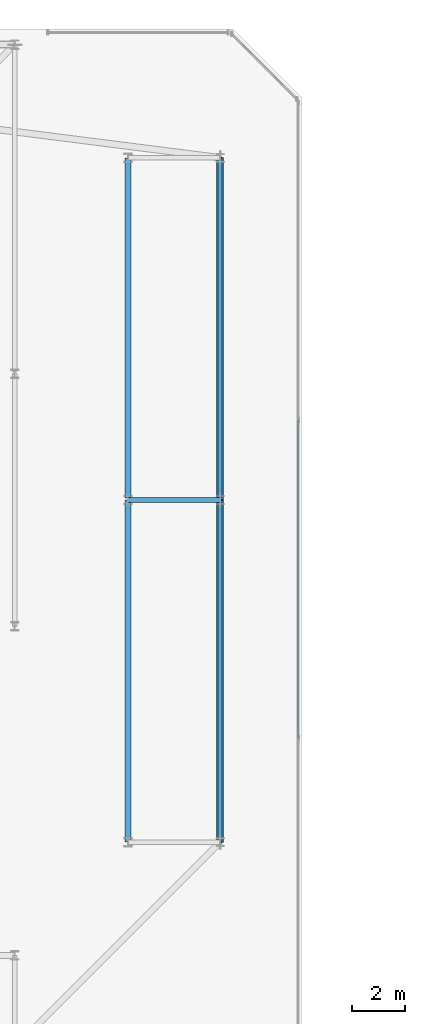
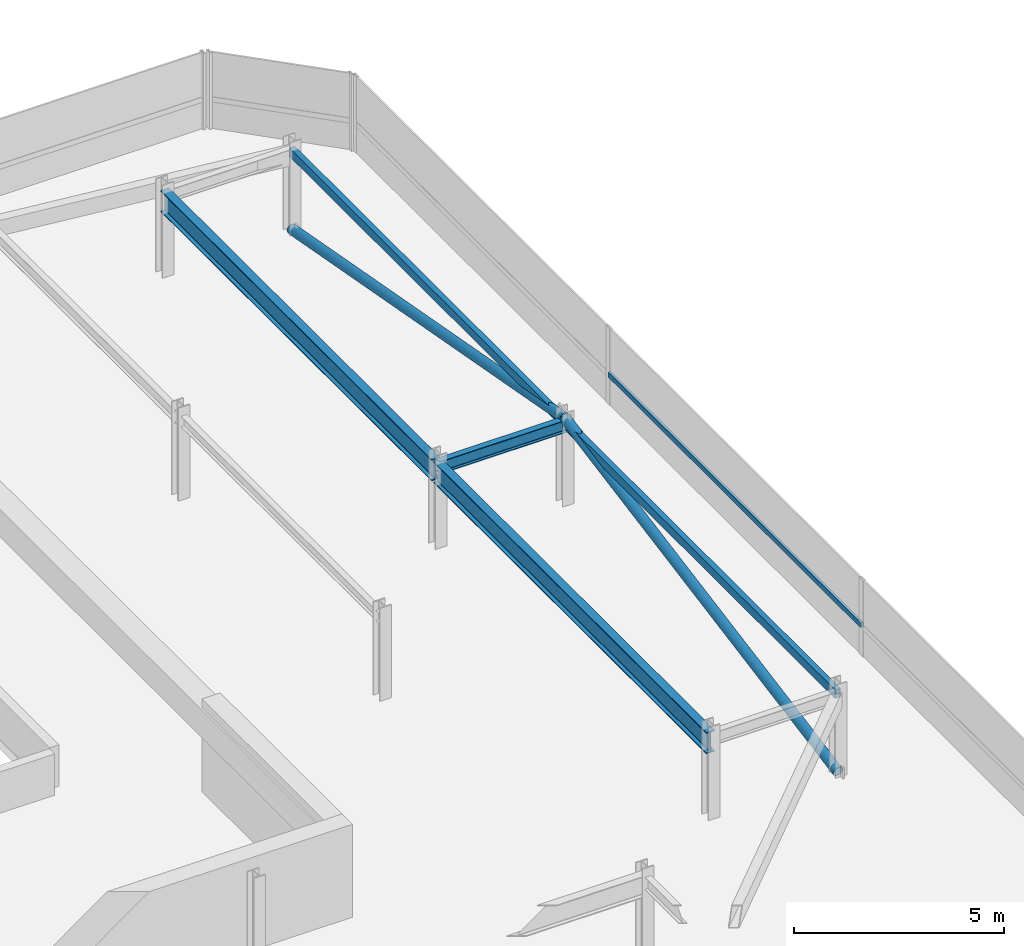
# One storey, part 18 of 42: 5 beams, 3 members, 1 element without a shape of its own.
"""IFC4 building model written with IfcOpenShell, lengths in metres."""

from ifc_helpers import new_model, si_unit, direction, frame, origin, origin_2d, place, context, subcontext, project, spatial, hollow_rectangle, hollow_circle, i_section, extrude, material, material_profile, profile_set, type_object, element, aggregate, save


model = new_model("IFC4")

# Units and contexts
model_context = context("Model", 3, precision=1e-05, world=origin(), true_north=direction((0.0, 1.0)))
body_context = subcontext(model_context, "Body", "Model", "MODEL_VIEW")
ifc_project = project(units=[si_unit("LENGTHUNIT", "METRE"), si_unit("AREAUNIT", "SQUARE_METRE"), si_unit("VOLUMEUNIT", "CUBIC_METRE"), si_unit("PLANEANGLEUNIT", "RADIAN"), si_unit("MASSUNIT", "GRAM", prefix="KILO")], contexts=[model_context])

# Site, building, storey
site_placement = place(None, origin())
site = spatial("IfcSite", under=ifc_project, at=site_placement, CompositionType="ELEMENT")
building_placement = place(site_placement, origin())
building = spatial("IfcBuilding", under=site, at=building_placement, Name="Thornwick Lancets Civic Towers", CompositionType="ELEMENT")
storey_placement = place(building_placement, frame((0.0, 0.0, 286.800048828125)))
storey = spatial("IfcBuildingStorey", under=building, at=storey_placement, Name="C03", CompositionType="ELEMENT", Elevation=286.800048828125)

# Beams
ifc_material_1 = material(Name="Steel S355JR", Category="steel")
ifc_material_profile_1 = material_profile(ifc_material_1, hollow_rectangle(XDim=0.14990234375, YDim=0.25, WallThickness=0.012451171875, at=origin_2d()), Name="RHS 250x150x12.5")
ifc_profile_set_1 = profile_set([ifc_material_profile_1], Name="Steel S355JR")
beam_type_1 = type_object("IfcBeamType", Name="BM_CROWN_RHS250", PredefinedType="BEAM", material=ifc_profile_set_1)
beam_1_placement = place(storey_placement, frame((46.300048828125, 14.0, 2.31494140625), z_axis=(0.0, 1.0, 0.0), x_axis=(-1.0, 0.0, 0.0)))
element("IfcBeam", 1, at=beam_1_placement, inside=storey, type_object=beam_type_1, Name="BM-EDGE-C03-A-S1-1", PredefinedType="BEAM", context=body_context, shape_type="SweptSolid", body=[
    extrude(hollow_rectangle(XDim=0.14990234375, YDim=0.25, WallThickness=0.012451171875, at=origin_2d()), origin(), (0.0, 0.0, 1.0), 13.0),
])
beam_2_placement = place(storey_placement, frame((46.300048828125, 27.080078125, 2.31494140625), z_axis=(0.0, 1.0, 0.0), x_axis=(-1.0, 0.0, 0.0)))
element("IfcBeam", 2, at=beam_2_placement, inside=storey, type_object=beam_type_1, Name="BM-EDGE-C03-A-S1-2", PredefinedType="BEAM", context=body_context, shape_type="SweptSolid", body=[
    extrude(hollow_rectangle(XDim=0.14990234375, YDim=0.25, WallThickness=0.012451171875, at=origin_2d()), origin(), (0.0, 0.0, 1.0), 12.919921875),
])
ifc_material_profile_2 = material_profile(ifc_material_1, i_section(OverallWidth=0.230224609375, OverallDepth=0.6171875, WebThickness=0.01318359375, FlangeThickness=0.022216796875, FilletRadius=0.0126953125, at=origin_2d()), Name="UKB 610x229x140")
ifc_profile_set_2 = profile_set([ifc_material_profile_2], Name="Steel S355JR")
beam_type_2 = type_object("IfcBeamType", Name="BM_GIRD_610_140", PredefinedType="BEAM", material=ifc_profile_set_2)
beam_3_placement = place(storey_placement, frame((42.800048828125, 14.0, 2.13134765625), z_axis=(0.0, 1.0, 0.0), x_axis=(-1.0, 0.0, 0.0)))
element("IfcBeam", 3, at=beam_3_placement, inside=storey, type_object=beam_type_2, Name="BM-SPINE-C03-A-3-4", PredefinedType="BEAM", context=body_context, shape_type="SweptSolid", body=[
    extrude(i_section(OverallWidth=0.230224609375, OverallDepth=0.6171875, WebThickness=0.01318359375, FlangeThickness=0.022216796875, FilletRadius=0.0126953125, at=origin_2d()), origin(), (0.0, 0.0, 1.0), 13.0),
])
beam_4_placement = place(storey_placement, frame((42.800048828125, 27.080078125, 2.13134765625), z_axis=(0.0, 1.0, 0.0), x_axis=(-1.0, 0.0, 0.0)))
element("IfcBeam", 4, at=beam_4_placement, inside=storey, type_object=beam_type_2, Name="BM-SPINE-C03-A-4-5", PredefinedType="BEAM", context=body_context, shape_type="SweptSolid", body=[
    extrude(i_section(OverallWidth=0.230224609375, OverallDepth=0.6171875, WebThickness=0.01318359375, FlangeThickness=0.022216796875, FilletRadius=0.0126953125, at=origin_2d()), origin(), (0.0, 0.0, 1.0), 12.919921875),
])
ifc_material_profile_3 = material_profile(ifc_material_1, i_section(OverallWidth=0.173095703125, OverallDepth=0.36328125, WebThickness=0.009033203125, FlangeThickness=0.015625, FilletRadius=0.01025390625, at=origin_2d()), Name="UKB 356x171x67")
ifc_profile_set_3 = profile_set([ifc_material_profile_3], Name="Steel S355JR")
beam_type_3 = type_object("IfcBeamType", Name="BM_JOIST_356_67", PredefinedType="JOIST", material=ifc_profile_set_3)
beam_5_placement = place(storey_placement, frame((42.800048828125, 27.0, 2.25830078125), z_axis=(1.0, 0.0, 0.0), x_axis=(0.0, 1.0, 0.0)))
element("IfcBeam", 5, at=beam_5_placement, inside=storey, type_object=beam_type_3, Name="BM-RAD-C03-A05", PredefinedType="JOIST", context=body_context, shape_type="SweptSolid", body=[
    extrude(i_section(OverallWidth=0.173095703125, OverallDepth=0.36328125, WebThickness=0.009033203125, FlangeThickness=0.015625, FilletRadius=0.01025390625, at=origin_2d()), origin(), (0.0, 0.0, 1.0), 3.5),
])

# Curtain wall, member
ifc_material_2 = material(Name="Crown ring acoustic-louvre and glazing screen wall", Category="glass")
curtain_wall_type = type_object("IfcCurtainWallType", Name="CW_SYS_07", PredefinedType="NOTDEFINED", material=ifc_material_2)
curtain_wall_placement = place(storey_placement, origin())
curtain_wall = element("IfcCurtainWall", 6, at=curtain_wall_placement, inside=storey, type_object=curtain_wall_type, Name="C03 Curtain Wall CW-C03-A-E2", PredefinedType="NOTDEFINED")
ifc_material_3 = material(Name="Thermally broken bronze aluminium S355", Category="steel")
ifc_material_profile_4 = material_profile(ifc_material_3, hollow_rectangle(XDim=0.074951171875, YDim=0.14990234375, WallThickness=0.0048828125, at=origin_2d()), Name="RHS 150x75x5")
ifc_profile_set_4 = profile_set([ifc_material_profile_4], Name="Thermally broken bronze aluminium S355")
member_type_1 = type_object("IfcMemberType", Name="CW_TRN_150", PredefinedType="USERDEFINED", material=ifc_profile_set_4)
member_placement = place(storey_placement, frame((49.2646484375, 17.986083984375, 0.849853515625), z_axis=(0.0, 1.0, 0.0), x_axis=(-1.0, 0.0, 0.0)))
member = element("IfcMember", 7, at=member_placement, type_object=member_type_1, Name="CW-C03-A-E2 Transom 1", ObjectType="TRANSOM", PredefinedType="USERDEFINED", context=body_context, shape_type="SweptSolid", body=[
    extrude(hollow_rectangle(XDim=0.074951171875, YDim=0.14990234375, WallThickness=0.0048828125, at=origin_2d()), origin(), (0.0, 0.0, 1.0), 12.02783203125),
])
aggregate(curtain_wall, [member])

# Members
ifc_material_profile_5 = material_profile(ifc_material_1, hollow_circle(Radius=0.136474609375, WallThickness=0.012451171875, at=origin_2d()), Name="CHS 273x12.5")
ifc_profile_set_5 = profile_set([ifc_material_profile_5], Name="Steel S355JR")
member_type_2 = type_object("IfcMemberType", Name="MEM_CROWN_CHS273", PredefinedType="BRACE", material=ifc_profile_set_5)
for number, where, z_axis, x_axis, name in (
    (8, (46.300048828125, 14.0, 0.050048828125), (0.0, 0.98351842104, 0.180807951915), (-1.0, 0.0, 0.0), "C03 Crown Ring Lancet Rib A-S1-L"),
    (9, (46.300048828125, 40.0, 0.050048828125), (0.0, -0.98351842104, 0.180807951915), (1.0, 0.0, 0.0), "C03 Crown Ring Lancet Rib A-S1-R"),
):
    element("IfcMember", number, at=place(storey_placement, frame(where, z_axis=z_axis, x_axis=x_axis)), inside=storey, type_object=member_type_2, Name=name, PredefinedType="BRACE", context=body_context, shape_type="SweptSolid", body=[
        extrude(hollow_circle(Radius=0.136474609375, WallThickness=0.012451171875, at=origin_2d()), origin(), (0.0, 0.0, 1.0), 13.2177734375),
    ])

save(model, "model.ifc")
